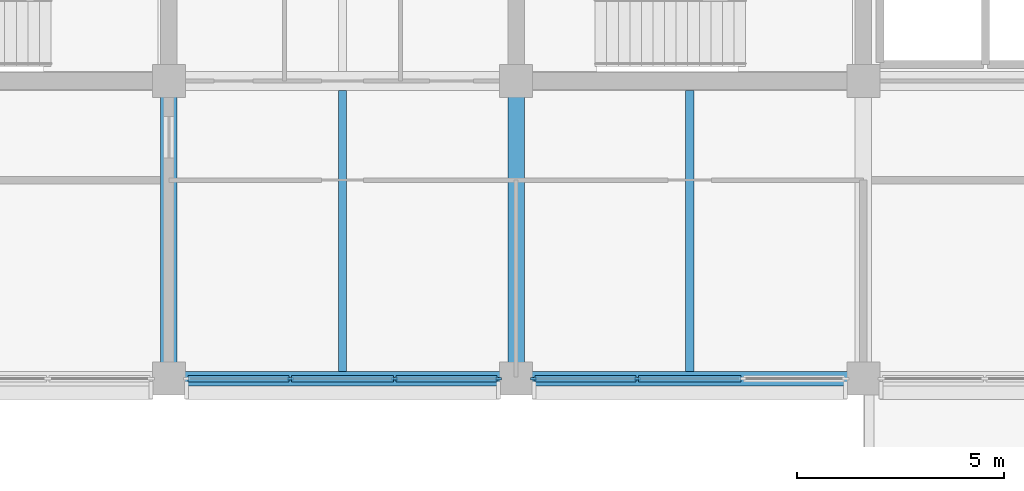
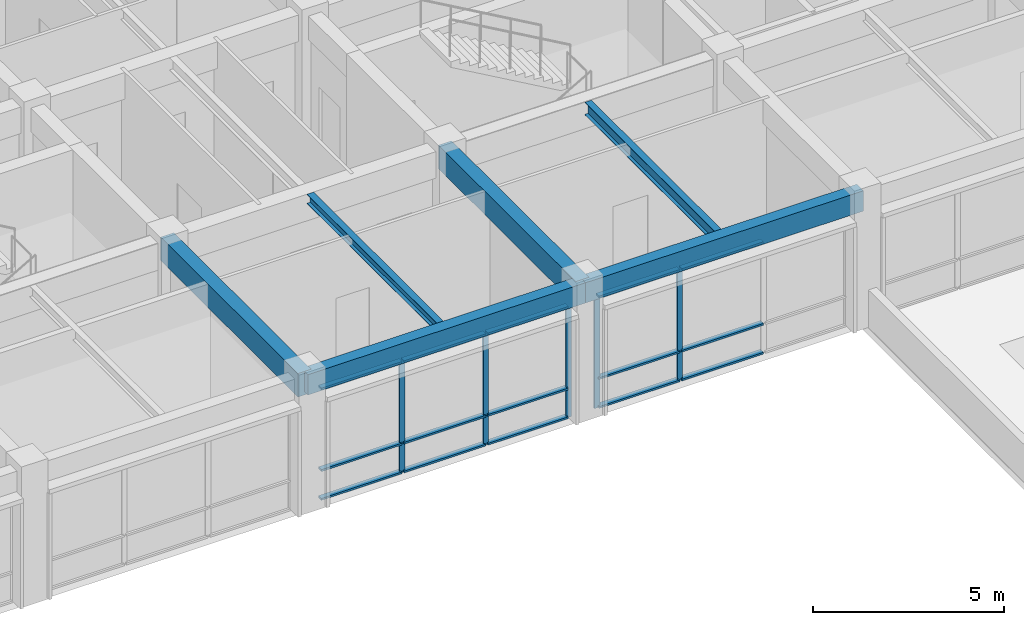
# One storey, part 3 of 40: 20 members, 6 beams, 2 elements without a shape of their own.
"""IFC4 building model written with IfcOpenShell, lengths in metres."""

from ifc_helpers import new_model, si_unit, direction, frame, origin, origin_2d, place, context, subcontext, project, spatial, rectangle, i_section, extrude, material, layer, layer_set, material_profile, profile_set, type_object, element, aggregate, save


model = new_model("IFC4")

# Units and contexts
model_context = context("Model", 3, precision=1e-05, world=origin(), true_north=direction((0.0, 1.0)))
body_context = subcontext(model_context, "Body", "Model", "MODEL_VIEW")
ifc_project = project(units=[si_unit("LENGTHUNIT", "METRE"), si_unit("AREAUNIT", "SQUARE_METRE"), si_unit("VOLUMEUNIT", "CUBIC_METRE"), si_unit("PLANEANGLEUNIT", "RADIAN"), si_unit("MASSUNIT", "GRAM", prefix="KILO")], contexts=[model_context])

# Site, building, storey
site_placement = place(None, origin())
site = spatial("IfcSite", under=ifc_project, at=site_placement, CompositionType="ELEMENT")
building_placement = place(site_placement, origin())
building = spatial("IfcBuilding", under=site, at=building_placement, Name="Chengyuan Square Courthouse", CompositionType="ELEMENT")
storey_placement = place(building_placement, frame((0.0, 0.0, 21.60009765625)))
storey = spatial("IfcBuildingStorey", under=building, at=storey_placement, Name="L05", CompositionType="ELEMENT", Elevation=21.60009765625)

# Beams
ifc_material_1 = material(Name="Concrete C40", Category="concrete")
ifc_material_profile_1 = material_profile(ifc_material_1, rectangle(XDim=0.39990234375, YDim=0.75, at=origin_2d()), Name="RC-BM-400x750")
ifc_profile_set_1 = profile_set([ifc_material_profile_1], Name="Concrete C40")
beam_type_1 = type_object("IfcBeamType", Name="BM-02", PredefinedType="USERDEFINED", material=ifc_profile_set_1)
for number, where, z_axis, x_axis, name in (
    (1, (50.39990234375, 79.199951171875, 3.864990234375), (0.0, 1.0, 0.0), (-1.0, 0.0, 0.0), "Girder BM-L05-3278"),
    (2, (58.800048828125, 79.199951171875, 3.864990234375), (0.0, 1.0, 0.0), (-1.0, 0.0, 0.0), "Girder BM-L05-3283"),
):
    element("IfcBeam", number, at=place(storey_placement, frame(where, z_axis=z_axis, x_axis=x_axis)), inside=storey, type_object=beam_type_1, Name=name, ObjectType="GIRDER", PredefinedType="USERDEFINED", context=body_context, shape_type="SweptSolid", body=[
        extrude(rectangle(XDim=0.39990234375, YDim=0.75, at=origin_2d()), origin(), (0.0, 0.0, 1.0), 7.199951171875),
    ])
ifc_material_profile_2 = material_profile(ifc_material_1, rectangle(XDim=0.35009765625, YDim=0.64990234375, at=origin_2d()), Name="RC-BM-350x650")
ifc_profile_set_2 = profile_set([ifc_material_profile_2], Name="Concrete C40")
beam_type_2 = type_object("IfcBeamType", Name="BM-03", PredefinedType="SPANDREL", material=ifc_profile_set_2)
beam_1_placement = place(storey_placement, frame((50.39990234375, 79.199951171875, 3.914794921875), z_axis=(1.0, 0.0, 0.0), x_axis=(0.0, 1.0, 0.0)))
element("IfcBeam", 3, at=beam_1_placement, inside=storey, type_object=beam_type_2, Name="Girder BM-L05-3198", PredefinedType="SPANDREL", context=body_context, shape_type="SweptSolid", body=[
    extrude(rectangle(XDim=0.35009765625, YDim=0.64990234375, at=origin_2d()), origin(), (0.0, 0.0, 1.0), 8.400146484375),
])
beam_2_placement = place(storey_placement, frame((58.800048828125, 79.199951171875, 3.914794921875), z_axis=(1.0, 0.0, 0.0), x_axis=(0.0, 1.0, 0.0)))
element("IfcBeam", 4, at=beam_2_placement, inside=storey, type_object=beam_type_2, Name="Girder BM-L05-3199", PredefinedType="SPANDREL", context=body_context, shape_type="SweptSolid", body=[
    extrude(rectangle(XDim=0.35009765625, YDim=0.64990234375, at=origin_2d()), origin(), (0.0, 0.0, 1.0), 8.39990234375),
])
ifc_material_2 = material(Name="Steel Q355B", Category="steel")
ifc_material_profile_3 = material_profile(ifc_material_2, i_section(OverallWidth=0.199951171875, OverallDepth=0.39990234375, WebThickness=0.008056640625, FlangeThickness=0.012939453125, at=origin_2d()), Name="HN 400x200x8x13")
ifc_profile_set_3 = profile_set([ifc_material_profile_3], Name="Steel Q355B")
beam_type_3 = type_object("IfcBeamType", Name="BM-07", PredefinedType="BEAM", material=ifc_profile_set_3)
beam_3_placement = place(storey_placement, frame((63.0, 79.375, 4.039794921875), z_axis=(0.0, 1.0, 0.0), x_axis=(-1.0, 0.0, 0.0)))
element("IfcBeam", 5, at=beam_3_placement, inside=storey, type_object=beam_type_3, Name="Secondary Floor Beam SBM-L05-3348", PredefinedType="BEAM", context=body_context, shape_type="SweptSolid", body=[
    extrude(i_section(OverallWidth=0.199951171875, OverallDepth=0.39990234375, WebThickness=0.008056640625, FlangeThickness=0.012939453125, at=origin_2d()), origin(), (0.0, 0.0, 1.0), 6.800048828125),
])
ifc_material_profile_4 = material_profile(ifc_material_2, i_section(OverallWidth=0.199951171875, OverallDepth=0.300048828125, WebThickness=0.008056640625, FlangeThickness=0.011962890625, at=origin_2d()), Name="HM 300x200x8x12")
ifc_profile_set_4 = profile_set([ifc_material_profile_4], Name="Steel Q355B")
beam_type_4 = type_object("IfcBeamType", Name="BM-09", PredefinedType="BEAM", material=ifc_profile_set_4)
beam_4_placement = place(storey_placement, frame((54.60009765625, 79.375, 4.08984375), z_axis=(0.0, 1.0, 0.0), x_axis=(-1.0, 0.0, 0.0)))
element("IfcBeam", 6, at=beam_4_placement, inside=storey, type_object=beam_type_4, Name="Secondary Floor Beam SBM-L05-3343", PredefinedType="BEAM", context=body_context, shape_type="SweptSolid", body=[
    extrude(i_section(OverallWidth=0.199951171875, OverallDepth=0.300048828125, WebThickness=0.008056640625, FlangeThickness=0.011962890625, at=origin_2d()), origin(), (0.0, 0.0, 1.0), 6.800048828125),
])

# Curtain wall, members
ifc_material_3 = material(Name="Unitised Aluminium and Triple Low-E Glass", Category="aluminium")
ifc_layer = layer(ifc_material_3, 0.159912109375)
ifc_layer_set = layer_set([ifc_layer], Name="Unitised Aluminium and Triple Low-E Glass")
curtain_wall_type = type_object("IfcCurtainWallType", Name="CW-13", PredefinedType="USERDEFINED", material=ifc_layer_set)
curtain_wall_1_placement = place(storey_placement, origin())
curtain_wall_1 = element("IfcCurtainWall", 7, at=curtain_wall_1_placement, inside=storey, type_object=curtain_wall_type, Name="Unitised Curtain Wall CW-L05-168", ObjectType="UNITISED CURTAIN WALL", PredefinedType="USERDEFINED")
ifc_material_4 = material(Name="Aluminium 6063-T6 Frame", Category="aluminium")
ifc_material_profile_5 = material_profile(ifc_material_4, rectangle(XDim=0.06005859375, YDim=0.159912109375, at=origin_2d()), Name="CW-MUL-60x160")
ifc_profile_set_5 = profile_set([ifc_material_profile_5], Name="Aluminium 6063-T6 Frame")
member_type_1 = type_object("IfcMemberType", Name="CWM-01", PredefinedType="MULLION", material=ifc_profile_set_5)
member_1_placement = place(storey_placement, frame((53.333251953125, 79.199951171875, 0.0), z_axis=(0.0, 0.0, 1.0), x_axis=(0.0, 1.0, 0.0)))
member_1 = element("IfcMember", 8, at=member_1_placement, type_object=member_type_1, Name="CW-13 mullion 2", PredefinedType="MULLION", context=body_context, shape_type="SweptSolid", body=[
    extrude(rectangle(XDim=0.06005859375, YDim=0.159912109375, at=origin_2d()), origin(), (0.0, 0.0, 1.0), 3.58984375),
])
member_2_placement = place(storey_placement, frame((55.86669921875, 79.199951171875, 0.0), z_axis=(0.0, 0.0, 1.0), x_axis=(0.0, 1.0, 0.0)))
member_2 = element("IfcMember", 9, at=member_2_placement, type_object=member_type_1, Name="CW-13 mullion 3", PredefinedType="MULLION", context=body_context, shape_type="SweptSolid", body=[
    extrude(rectangle(XDim=0.06005859375, YDim=0.159912109375, at=origin_2d()), origin(), (0.0, 0.0, 1.0), 3.58984375),
])
member_3_placement = place(storey_placement, frame((58.3701171875, 79.199951171875, 0.0), z_axis=(0.0, 0.0, 1.0), x_axis=(0.0, 1.0, 0.0)))
member_3 = element("IfcMember", 10, at=member_3_placement, type_object=member_type_1, Name="CW-13 mullion 4", PredefinedType="MULLION", context=body_context, shape_type="SweptSolid", body=[
    extrude(rectangle(XDim=0.06005859375, YDim=0.159912109375, at=origin_2d()), origin(), (0.0, 0.0, 1.0), 3.58984375),
])

curtain_wall_2_placement = place(storey_placement, origin())
curtain_wall_2 = element("IfcCurtainWall", 11, at=curtain_wall_2_placement, inside=storey, type_object=curtain_wall_type, Name="Unitised Curtain Wall CW-L05-170", ObjectType="UNITISED CURTAIN WALL", PredefinedType="USERDEFINED")
member_4_placement = place(storey_placement, frame((59.22998046875, 79.199951171875, 0.0), z_axis=(0.0, 0.0, 1.0), x_axis=(0.0, 1.0, 0.0)))
member_4 = element("IfcMember", 12, at=member_4_placement, type_object=member_type_1, Name="CW-13 mullion 1", PredefinedType="MULLION", context=body_context, shape_type="SweptSolid", body=[
    extrude(rectangle(XDim=0.06005859375, YDim=0.159912109375, at=origin_2d()), origin(), (0.0, 0.0, 1.0), 3.58984375),
])
member_5_placement = place(storey_placement, frame((61.7333984375, 79.199951171875, 0.0), z_axis=(0.0, 0.0, 1.0), x_axis=(0.0, 1.0, 0.0)))
member_5 = element("IfcMember", 13, at=member_5_placement, type_object=member_type_1, Name="CW-13 mullion 2", PredefinedType="MULLION", context=body_context, shape_type="SweptSolid", body=[
    extrude(rectangle(XDim=0.06005859375, YDim=0.159912109375, at=origin_2d()), origin(), (0.0, 0.0, 1.0), 3.58984375),
])

# Member
ifc_material_profile_6 = material_profile(ifc_material_4, rectangle(XDim=0.159912109375, YDim=0.06005859375, at=origin_2d()), Name="CW-TRN-60x120")
ifc_profile_set_6 = profile_set([ifc_material_profile_6], Name="Aluminium 6063-T6 Frame")
member_type_2 = type_object("IfcMemberType", Name="CWT-01", PredefinedType="USERDEFINED", material=ifc_profile_set_6)
member_6_placement = place(storey_placement, frame((50.860107421875, 79.199951171875, 0.02978515625), z_axis=(1.0, 0.0, 0.0), x_axis=(0.0, 1.0, 0.0)))
member_6 = element("IfcMember", 14, at=member_6_placement, type_object=member_type_2, Name="CW-13 transom 1.1", ObjectType="TRANSOM", PredefinedType="USERDEFINED", context=body_context, shape_type="SweptSolid", body=[
    extrude(rectangle(XDim=0.159912109375, YDim=0.06005859375, at=origin_2d()), origin(), (0.0, 0.0, 1.0), 2.443115234375),
])

member_7_placement = place(storey_placement, frame((50.860107421875, 79.199951171875, 0.949951171875), z_axis=(1.0, 0.0, 0.0), x_axis=(0.0, 1.0, 0.0)))
member_7 = element("IfcMember", 15, at=member_7_placement, type_object=member_type_2, Name="CW-13 transom 1.2", ObjectType="TRANSOM", PredefinedType="USERDEFINED", context=body_context, shape_type="SweptSolid", body=[
    extrude(rectangle(XDim=0.159912109375, YDim=0.06005859375, at=origin_2d()), origin(), (0.0, 0.0, 1.0), 2.443115234375),
])

member_8_placement = place(storey_placement, frame((50.860107421875, 79.199951171875, 3.559814453125), z_axis=(1.0, 0.0, 0.0), x_axis=(0.0, 1.0, 0.0)))
member_8 = element("IfcMember", 16, at=member_8_placement, type_object=member_type_2, Name="CW-13 transom 1.3", ObjectType="TRANSOM", PredefinedType="USERDEFINED", context=body_context, shape_type="SweptSolid", body=[
    extrude(rectangle(XDim=0.159912109375, YDim=0.06005859375, at=origin_2d()), origin(), (0.0, 0.0, 1.0), 2.443115234375),
])

member_9_placement = place(storey_placement, frame((53.36328125, 79.199951171875, 0.02978515625), z_axis=(1.0, 0.0, 0.0), x_axis=(0.0, 1.0, 0.0)))
member_9 = element("IfcMember", 17, at=member_9_placement, type_object=member_type_2, Name="CW-13 transom 2.1", ObjectType="TRANSOM", PredefinedType="USERDEFINED", context=body_context, shape_type="SweptSolid", body=[
    extrude(rectangle(XDim=0.159912109375, YDim=0.06005859375, at=origin_2d()), origin(), (0.0, 0.0, 1.0), 2.473388671875),
])

member_10_placement = place(storey_placement, frame((53.36328125, 79.199951171875, 0.949951171875), z_axis=(1.0, 0.0, 0.0), x_axis=(0.0, 1.0, 0.0)))
member_10 = element("IfcMember", 18, at=member_10_placement, type_object=member_type_2, Name="CW-13 transom 2.2", ObjectType="TRANSOM", PredefinedType="USERDEFINED", context=body_context, shape_type="SweptSolid", body=[
    extrude(rectangle(XDim=0.159912109375, YDim=0.06005859375, at=origin_2d()), origin(), (0.0, 0.0, 1.0), 2.473388671875),
])

member_11_placement = place(storey_placement, frame((53.36328125, 79.199951171875, 3.559814453125), z_axis=(1.0, 0.0, 0.0), x_axis=(0.0, 1.0, 0.0)))
member_11 = element("IfcMember", 19, at=member_11_placement, type_object=member_type_2, Name="CW-13 transom 2.3", ObjectType="TRANSOM", PredefinedType="USERDEFINED", context=body_context, shape_type="SweptSolid", body=[
    extrude(rectangle(XDim=0.159912109375, YDim=0.06005859375, at=origin_2d()), origin(), (0.0, 0.0, 1.0), 2.473388671875),
])

member_12_placement = place(storey_placement, frame((55.896728515625, 79.199951171875, 0.02978515625), z_axis=(1.0, 0.0, 0.0), x_axis=(0.0, 1.0, 0.0)))
member_12 = element("IfcMember", 20, at=member_12_placement, type_object=member_type_2, Name="CW-13 transom 3.1", ObjectType="TRANSOM", PredefinedType="USERDEFINED", context=body_context, shape_type="SweptSolid", body=[
    extrude(rectangle(XDim=0.159912109375, YDim=0.06005859375, at=origin_2d()), origin(), (0.0, 0.0, 1.0), 2.443359375),
])

member_13_placement = place(storey_placement, frame((55.896728515625, 79.199951171875, 0.949951171875), z_axis=(1.0, 0.0, 0.0), x_axis=(0.0, 1.0, 0.0)))
member_13 = element("IfcMember", 21, at=member_13_placement, type_object=member_type_2, Name="CW-13 transom 3.2", ObjectType="TRANSOM", PredefinedType="USERDEFINED", context=body_context, shape_type="SweptSolid", body=[
    extrude(rectangle(XDim=0.159912109375, YDim=0.06005859375, at=origin_2d()), origin(), (0.0, 0.0, 1.0), 2.443359375),
])

member_14_placement = place(storey_placement, frame((55.896728515625, 79.199951171875, 3.559814453125), z_axis=(1.0, 0.0, 0.0), x_axis=(0.0, 1.0, 0.0)))
member_14 = element("IfcMember", 22, at=member_14_placement, type_object=member_type_2, Name="CW-13 transom 3.3", ObjectType="TRANSOM", PredefinedType="USERDEFINED", context=body_context, shape_type="SweptSolid", body=[
    extrude(rectangle(XDim=0.159912109375, YDim=0.06005859375, at=origin_2d()), origin(), (0.0, 0.0, 1.0), 2.443359375),
])

aggregate(curtain_wall_1, [member_1, member_2, member_3, member_6, member_7, member_8, member_9, member_10, member_11, member_12, member_13, member_14])

member_15_placement = place(storey_placement, frame((59.260009765625, 79.199951171875, 0.02978515625), z_axis=(1.0, 0.0, 0.0), x_axis=(0.0, 1.0, 0.0)))
member_15 = element("IfcMember", 23, at=member_15_placement, type_object=member_type_2, Name="CW-13 transom 1.1", ObjectType="TRANSOM", PredefinedType="USERDEFINED", context=body_context, shape_type="SweptSolid", body=[
    extrude(rectangle(XDim=0.159912109375, YDim=0.06005859375, at=origin_2d()), origin(), (0.0, 0.0, 1.0), 2.443359375),
])

member_16_placement = place(storey_placement, frame((59.260009765625, 79.199951171875, 0.949951171875), z_axis=(1.0, 0.0, 0.0), x_axis=(0.0, 1.0, 0.0)))
member_16 = element("IfcMember", 24, at=member_16_placement, type_object=member_type_2, Name="CW-13 transom 1.2", ObjectType="TRANSOM", PredefinedType="USERDEFINED", context=body_context, shape_type="SweptSolid", body=[
    extrude(rectangle(XDim=0.159912109375, YDim=0.06005859375, at=origin_2d()), origin(), (0.0, 0.0, 1.0), 2.443359375),
])

member_17_placement = place(storey_placement, frame((59.260009765625, 79.199951171875, 3.559814453125), z_axis=(1.0, 0.0, 0.0), x_axis=(0.0, 1.0, 0.0)))
member_17 = element("IfcMember", 25, at=member_17_placement, type_object=member_type_2, Name="CW-13 transom 1.3", ObjectType="TRANSOM", PredefinedType="USERDEFINED", context=body_context, shape_type="SweptSolid", body=[
    extrude(rectangle(XDim=0.159912109375, YDim=0.06005859375, at=origin_2d()), origin(), (0.0, 0.0, 1.0), 2.443359375),
])

member_18_placement = place(storey_placement, frame((61.763427734375, 79.199951171875, 0.02978515625), z_axis=(1.0, 0.0, 0.0), x_axis=(0.0, 1.0, 0.0)))
member_18 = element("IfcMember", 26, at=member_18_placement, type_object=member_type_2, Name="CW-13 transom 2.1", ObjectType="TRANSOM", PredefinedType="USERDEFINED", context=body_context, shape_type="SweptSolid", body=[
    extrude(rectangle(XDim=0.159912109375, YDim=0.06005859375, at=origin_2d()), origin(), (0.0, 0.0, 1.0), 2.47314453125),
])

member_19_placement = place(storey_placement, frame((61.763427734375, 79.199951171875, 0.949951171875), z_axis=(1.0, 0.0, 0.0), x_axis=(0.0, 1.0, 0.0)))
member_19 = element("IfcMember", 27, at=member_19_placement, type_object=member_type_2, Name="CW-13 transom 2.2", ObjectType="TRANSOM", PredefinedType="USERDEFINED", context=body_context, shape_type="SweptSolid", body=[
    extrude(rectangle(XDim=0.159912109375, YDim=0.06005859375, at=origin_2d()), origin(), (0.0, 0.0, 1.0), 2.47314453125),
])

member_20_placement = place(storey_placement, frame((61.763427734375, 79.199951171875, 3.559814453125), z_axis=(1.0, 0.0, 0.0), x_axis=(0.0, 1.0, 0.0)))
member_20 = element("IfcMember", 28, at=member_20_placement, type_object=member_type_2, Name="CW-13 transom 2.3", ObjectType="TRANSOM", PredefinedType="USERDEFINED", context=body_context, shape_type="SweptSolid", body=[
    extrude(rectangle(XDim=0.159912109375, YDim=0.06005859375, at=origin_2d()), origin(), (0.0, 0.0, 1.0), 2.47314453125),
])

aggregate(curtain_wall_2, [member_4, member_5, member_15, member_16, member_17, member_18, member_19, member_20])

save(model, "model.ifc")
